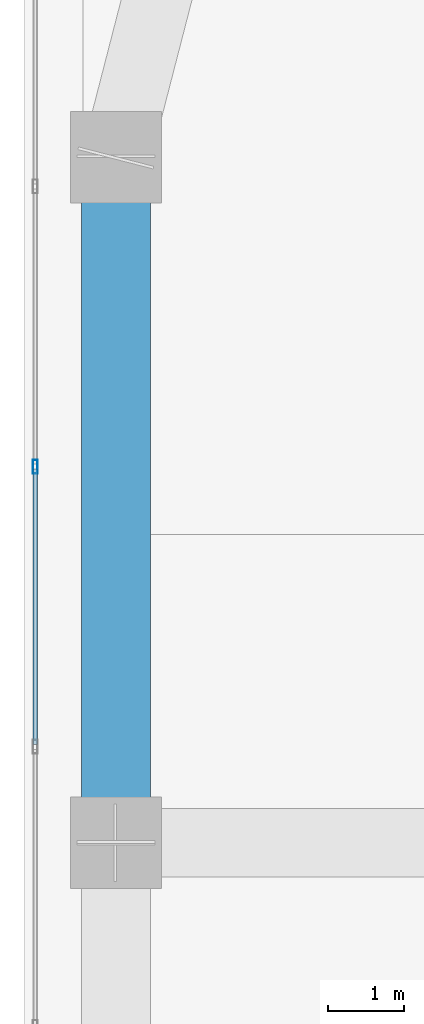
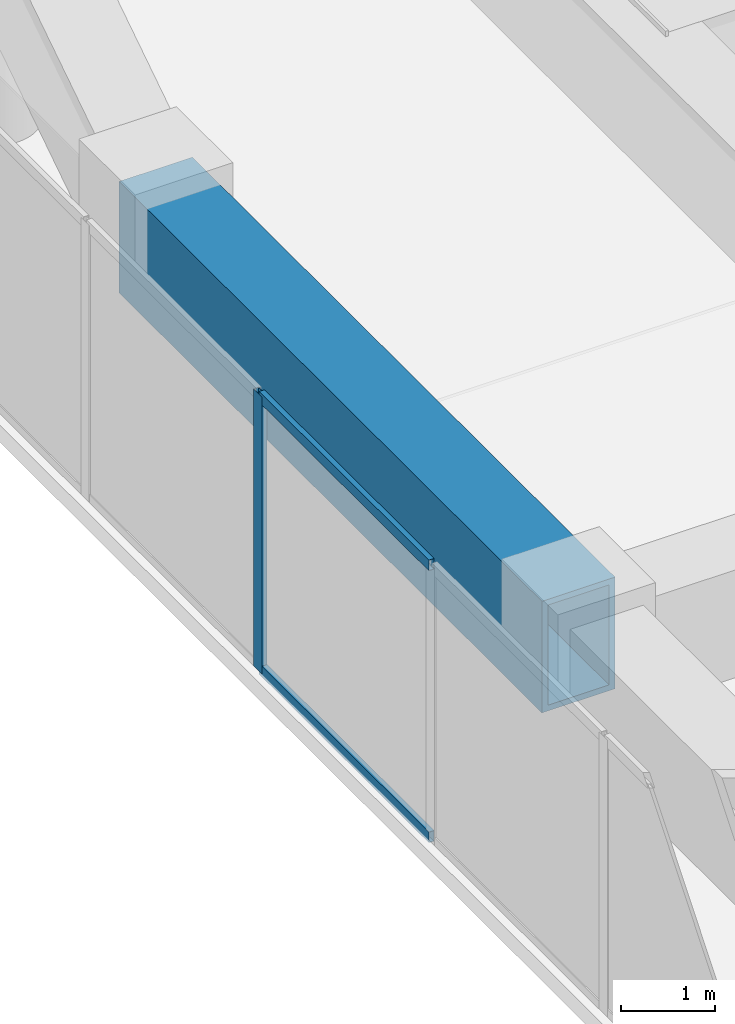
# One storey, part 7 of 30: 3 members, 1 beam, 1 element without a shape of its own.
"""IFC4 building model written with IfcOpenShell, lengths in metres."""

import ifcopenshell
import ifcopenshell.guid

model = None  # the IFC model being written
_history = None  # IfcOwnerHistory: only IFC2X3 demands one
_inside = {}  # id of a spatial element -> (the spatial element, [elements in it])
_under = {}  # id of a project, library or spatial element -> (it, [spatial elements below it])
_declared = {}  # id of a project -> (the project, [libraries it declares])
_typed = {}  # id of a type object -> (the type object, [elements of that type])
_made_of = {}  # id of a material, layer set ... -> (it, [elements and type objects made of it])


def new_model(schema):
    """Start an empty IFC model of exactly this schema.

    Asked for "IFC4X3", IfcOpenShell would pick the latest addendum, in which some entities
    have other attributes; the version numbers below select the first issue.
    IFC2X3 requires an IfcOwnerHistory on every rooted entity: one is made here for all.
    """
    global model, _history
    if schema == "IFC4X3":
        model = ifcopenshell.file(schema_version=(4, 3, 0, 0))
    else:
        model = ifcopenshell.file(schema=schema)
    _inside.clear()
    _under.clear()
    _declared.clear()
    _typed.clear()
    _made_of.clear()
    _history = None
    if model.schema == "IFC2X3":
        org = make("IfcOrganization", Name="unknown")
        user = make(
            "IfcPersonAndOrganization",
            ThePerson=make("IfcPerson", FamilyName="unknown"),
            TheOrganization=org,
        )
        app = make(
            "IfcApplication",
            ApplicationDeveloper=org,
            Version="unknown",
            ApplicationFullName="unknown",
            ApplicationIdentifier="unknown",
        )
        _history = make(
            "IfcOwnerHistory",
            OwningUser=user,
            OwningApplication=app,
            ChangeAction="ADDED",
            CreationDate=0,
        )
    return model


def make(cls, **values):
    """One entity of the class cls with the attributes given. An attribute that is None is left unset."""
    return model.create_entity(
        cls, **{name: value for name, value in values.items() if value is not None}
    )


def rooted(cls, **values):
    """An entity with a GlobalId (a new one), such as an element, a storey or a relation."""
    return make(cls, GlobalId=ifcopenshell.guid.new(), OwnerHistory=_history, **values)


def si_unit(unit_type, name, prefix=None):
    """IfcSIUnit, for example si_unit("LENGTHUNIT", "METRE", prefix="MILLI")."""
    return make("IfcSIUnit", UnitType=unit_type, Prefix=prefix, Name=name)


def assignment(units):
    """IfcUnitAssignment: the units of a project."""
    return None if units is None else make("IfcUnitAssignment", Units=units)


def point(xyz):
    """IfcCartesianPoint."""
    return None if xyz is None else make("IfcCartesianPoint", Coordinates=xyz)


def direction(xyz):
    """IfcDirection."""
    return None if xyz is None else make("IfcDirection", DirectionRatios=xyz)


def frame(location, z_axis=None, x_axis=None):
    """IfcAxis2Placement3D, a coordinate frame: its origin and axes. An axis left out is left unset."""
    return make(
        "IfcAxis2Placement3D",
        Location=point(location),
        Axis=direction(z_axis),
        RefDirection=direction(x_axis),
    )


def frame_2d(location, x_axis=None):
    """IfcAxis2Placement2D, a coordinate frame in the plane: its origin and x axis."""
    return make(
        "IfcAxis2Placement2D", Location=point(location), RefDirection=direction(x_axis)
    )


def origin():
    """The frame at (0, 0, 0) with its axes left unset."""
    return frame((0.0, 0.0, 0.0))


def origin_2d():
    """The frame at (0, 0) in the plane with its x axis left unset."""
    return frame_2d((0.0, 0.0))


def place(relative_to, where):
    """IfcLocalPlacement: puts the frame where relative to a parent placement (None: the world)."""
    return make(
        "IfcLocalPlacement", PlacementRelTo=relative_to, RelativePlacement=where
    )


def context(
    kind, dimensions, precision=None, world=None, true_north=None, identifier=None
):
    """IfcGeometricRepresentationContext, for example the 3D "Model" context."""
    return make(
        "IfcGeometricRepresentationContext",
        ContextIdentifier=identifier,
        ContextType=kind,
        CoordinateSpaceDimension=dimensions,
        Precision=precision,
        WorldCoordinateSystem=world,
        TrueNorth=true_north,
    )


def subcontext(parent, identifier, kind, view, scale=None):
    """IfcGeometricRepresentationSubContext, for example "Body" below "Model"."""
    return make(
        "IfcGeometricRepresentationSubContext",
        ContextIdentifier=identifier,
        ContextType=kind,
        ParentContext=parent,
        TargetScale=scale,
        TargetView=view,
    )


def project(units=None, contexts=None):
    """IfcProject with its units and contexts."""
    return rooted(
        "IfcProject",
        Name="project",
        RepresentationContexts=contexts,
        UnitsInContext=assignment(units),
    )


def spatial(cls, under=None, at=None, **own):
    """A site, building, storey or space (cls), placed at a placement, below another one or the project."""
    s = rooted(cls, ObjectPlacement=at, **own)
    if under is not None:
        _under.setdefault(under.id(), (under, []))[1].append(s)
    return s


def profile(cls, at=None, kind="AREA", **sizes):
    """A parametric profile (cls). Its sizes go by their IFC names, for example OverallWidth=200.0."""
    return make(cls, ProfileType=kind, Position=at, **sizes)


def hollow_rectangle(**sizes):
    """IfcRectangleHollowProfileDef."""
    return profile("IfcRectangleHollowProfileDef", **sizes)


def extrude(swept, where, along, depth):
    """IfcExtrudedAreaSolid: the profile swept, set in the frame where, extruded along a direction by depth."""
    return make(
        "IfcExtrudedAreaSolid",
        SweptArea=swept,
        Position=where,
        ExtrudedDirection=direction(along),
        Depth=depth,
    )


def shape(context_of_items, identifier, shape_type, items):
    """IfcShapeRepresentation: the items that make up one representation, for example the "Body"."""
    return make(
        "IfcShapeRepresentation",
        ContextOfItems=context_of_items,
        RepresentationIdentifier=identifier,
        RepresentationType=shape_type,
        Items=items,
    )


def material(Name=None, Category=None):
    """IfcMaterial."""
    return make("IfcMaterial", Name=Name, Category=Category)


def layer(
    of_material, thickness, ventilated=None, Name=None, Category=None, Priority=None
):
    """IfcMaterialLayer: one layer of a wall or slab, of a material (None: an air gap)."""
    return make(
        "IfcMaterialLayer",
        Material=of_material,
        LayerThickness=thickness,
        IsVentilated=ventilated,
        Name=Name,
        Category=Category,
        Priority=Priority,
    )


def layer_set(layers, Name=None):
    """IfcMaterialLayerSet."""
    return make("IfcMaterialLayerSet", MaterialLayers=layers, LayerSetName=Name)


def material_profile(
    of_material, cross_section, Name=None, Category=None, Priority=None
):
    """IfcMaterialProfile: a cross section and its material."""
    return make(
        "IfcMaterialProfile",
        Name=Name,
        Material=of_material,
        Profile=cross_section,
        Priority=Priority,
        Category=Category,
    )


def profile_set(profiles, Name=None, composite=None):
    """IfcMaterialProfileSet."""
    return make(
        "IfcMaterialProfileSet",
        Name=Name,
        MaterialProfiles=profiles,
        CompositeProfile=composite,
    )


def made_of(thing, what):
    """Note that an element or type object is made of a material, layer set ...; save() writes the relation."""
    if what is not None:
        _made_of.setdefault(what.id(), (what, []))[1].append(thing)
    return thing


def type_object(cls, material=None, **own):
    """A type object (cls), such as IfcWallType, which elements share."""
    return made_of(rooted(cls, **own), material)


def element(
    cls,
    number,
    at=None,
    inside=None,
    cuts=None,
    type_object=None,
    material=None,
    context=None,
    identifier="Body",
    shape_type=None,
    held_by="IfcProductDefinitionShape",
    body=None,
    shapes=None,
    **own,
):
    """One element of the class cls, such as IfcWall. Its Tag is "e" and its number.

    at: its placement. inside: the storey or other place that contains it. cuts: it is an
    opening in that element (IfcRelVoidsElement). A single representation is given by context,
    identifier, shape_type and body (its items); several are given by shapes. held_by: the class
    of the entity that holds the representations. save() writes the other relations.
    """
    e = rooted(cls, Tag="e%d" % number, ObjectPlacement=at, **own)
    if body is not None:
        shapes = [shape(context, identifier, shape_type, body)]
    if shapes is not None:
        e.Representation = make(held_by, Representations=shapes)
    if inside is not None:
        _inside.setdefault(inside.id(), (inside, []))[1].append(e)
    if cuts is not None:
        rooted(
            "IfcRelVoidsElement", RelatingBuildingElement=cuts, RelatedOpeningElement=e
        )
    if type_object is not None:
        _typed.setdefault(type_object.id(), (type_object, []))[1].append(e)
    return made_of(e, material)


def aggregate(whole, parts):
    """IfcRelAggregates: a whole, such as a stair, and the parts it consists of."""
    return rooted("IfcRelAggregates", RelatingObject=whole, RelatedObjects=parts)


def save(model, path):
    """Write the relations noted so far, then the file.

    IfcRelAggregates (storeys below a building ...), IfcRelContainedInSpatialStructure (elements
    in a storey), IfcRelDefinesByType, IfcRelAssociatesMaterial and IfcRelDeclares: one each for
    every whole, place, type object, material and project.
    """
    for whole, parts in _under.values():
        aggregate(whole, parts)
    for where, things in _inside.values():
        rooted(
            "IfcRelContainedInSpatialStructure",
            RelatedElements=things,
            RelatingStructure=where,
        )
    for kind, things in _typed.values():
        rooted("IfcRelDefinesByType", RelatedObjects=things, RelatingType=kind)
    for what, things in _made_of.values():
        rooted("IfcRelAssociatesMaterial", RelatedObjects=things, RelatingMaterial=what)
    for by, libraries in _declared.values():
        rooted("IfcRelDeclares", RelatingContext=by, RelatedDefinitions=libraries)
    model.write(path)


model = new_model("IFC4")

# Units and contexts
model_context = context("Model", 3, precision=1e-05, world=origin(), true_north=direction((0.0, 1.0)))
body_context = subcontext(model_context, "Body", "Model", "MODEL_VIEW")
ifc_project = project(units=[si_unit("LENGTHUNIT", "METRE"), si_unit("AREAUNIT", "SQUARE_METRE"), si_unit("VOLUMEUNIT", "CUBIC_METRE"), si_unit("PLANEANGLEUNIT", "RADIAN"), si_unit("MASSUNIT", "GRAM", prefix="KILO")], contexts=[model_context])

# Site, building, storey
site_placement = place(None, origin())
site = spatial("IfcSite", under=ifc_project, at=site_placement, CompositionType="ELEMENT")
building_placement = place(site_placement, origin())
building = spatial("IfcBuilding", under=site, at=building_placement, Name="Kiyonajd Concourse Tower", CompositionType="ELEMENT")
storey_placement = place(building_placement, frame((0.0, 0.0, 205.800048828125)))
storey = spatial("IfcBuildingStorey", under=building, at=storey_placement, Name="L52", CompositionType="ELEMENT", Elevation=205.800048828125)

# Beam
ifc_material_1 = material(Name="Steel ASTM A572 Grade 50", Category="steel")
ifc_material_profile_1 = material_profile(ifc_material_1, hollow_rectangle(XDim=0.89990234375, YDim=1.449951171875, WallThickness=0.074951171875, at=origin_2d()), Name="BOX-1450x900x75")
ifc_profile_set_1 = profile_set([ifc_material_profile_1], Name="Steel ASTM A572 Grade 50")
beam_type = type_object("IfcBeamType", Name="BM-XFER-1800", PredefinedType="BEAM", material=ifc_profile_set_1)
beam_placement = place(storey_placement, frame((19.199951171875, 53.39990234375, 2.93505859375), z_axis=(0.0, -1.0, 0.0), x_axis=(1.0, 0.0, 0.0)))
element("IfcBeam", 1, at=beam_placement, inside=storey, type_object=beam_type, Name="L52 Perimeter Bundled Tube Spandrel", PredefinedType="BEAM", context=body_context, shape_type="SweptSolid", body=[
    extrude(hollow_rectangle(XDim=0.89990234375, YDim=1.449951171875, WallThickness=0.074951171875, at=origin_2d()), origin(), (0.0, 0.0, 1.0), 9.0),
])

# Curtain wall, members
ifc_material_2 = material(Name="Thermally Broken Anodised Aluminium", Category="aluminium")
ifc_layer = layer(ifc_material_2, 0.179931640625)
ifc_layer_set = layer_set([ifc_layer], Name="Thermally Broken Anodised Aluminium")
curtain_wall_type = type_object("IfcCurtainWallType", Name="CW-SYS-03", PredefinedType="NOTDEFINED", material=ifc_layer_set)
curtain_wall_placement = place(storey_placement, origin())
curtain_wall = element("IfcCurtainWall", 2, at=curtain_wall_placement, inside=storey, type_object=curtain_wall_type, Name="L52 Unitised Curtain Wall CW3", PredefinedType="NOTDEFINED")
ifc_material_profile_2 = material_profile(ifc_material_2, hollow_rectangle(XDim=0.06494140625, YDim=0.179931640625, WallThickness=0.00390625, at=origin_2d()), Name="MULL-65x180")
ifc_profile_set_2 = profile_set([ifc_material_profile_2], Name="Thermally Broken Anodised Aluminium")
member_type_1 = type_object("IfcMemberType", Name="MB-CW-MULL1", PredefinedType="MULLION", material=ifc_profile_set_2)
member_1_placement = place(storey_placement, frame((18.139892578125, 49.337646484375, 0.0), z_axis=(0.0, 0.0, 1.0), x_axis=(-1.0, 0.0, 0.0)))
member_1 = element("IfcMember", 3, at=member_1_placement, type_object=member_type_1, Name="CW3 mullion 5", PredefinedType="MULLION", context=body_context, shape_type="SweptSolid", body=[
    extrude(hollow_rectangle(XDim=0.06494140625, YDim=0.179931640625, WallThickness=0.00390625, at=origin_2d()), origin(), (0.0, 0.0, 1.0), 3.599853515625),
])
ifc_material_profile_3 = material_profile(ifc_material_2, hollow_rectangle(XDim=0.06494140625, YDim=0.139892578125, WallThickness=0.00390625, at=origin_2d()), Name="TRAN-65x140")
ifc_profile_set_3 = profile_set([ifc_material_profile_3], Name="Thermally Broken Anodised Aluminium")
member_type_2 = type_object("IfcMemberType", Name="MB-CW-TRAN1", PredefinedType="USERDEFINED", material=ifc_profile_set_3)
member_2_placement = place(storey_placement, frame((18.139892578125, 45.693359375, 0.032470703125), z_axis=(0.0, 1.0, 0.0), x_axis=(-1.0, 0.0, 0.0)))
member_2 = element("IfcMember", 4, at=member_2_placement, type_object=member_type_2, Name="CW3 transom 4.1", ObjectType="TRANSOM", PredefinedType="USERDEFINED", context=body_context, shape_type="SweptSolid", body=[
    extrude(hollow_rectangle(XDim=0.06494140625, YDim=0.139892578125, WallThickness=0.00390625, at=origin_2d()), origin(), (0.0, 0.0, 1.0), 3.61181640625),
])
member_3_placement = place(storey_placement, frame((18.139892578125, 45.693359375, 3.5673828125), z_axis=(0.0, 1.0, 0.0), x_axis=(-1.0, 0.0, 0.0)))
member_3 = element("IfcMember", 5, at=member_3_placement, type_object=member_type_2, Name="CW3 transom 4.2", ObjectType="TRANSOM", PredefinedType="USERDEFINED", context=body_context, shape_type="SweptSolid", body=[
    extrude(hollow_rectangle(XDim=0.06494140625, YDim=0.139892578125, WallThickness=0.00390625, at=origin_2d()), origin(), (0.0, 0.0, 1.0), 3.61181640625),
])
aggregate(curtain_wall, [member_1, member_2, member_3])

save(model, "model.ifc")
